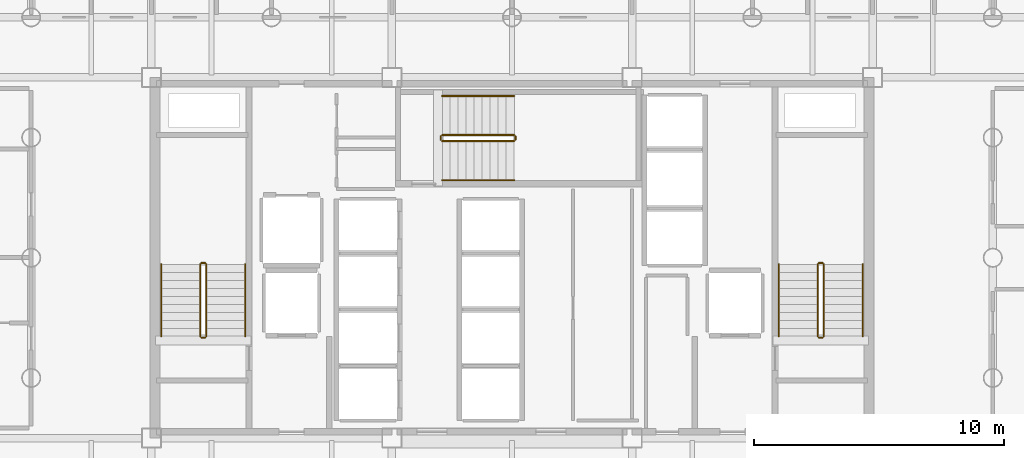
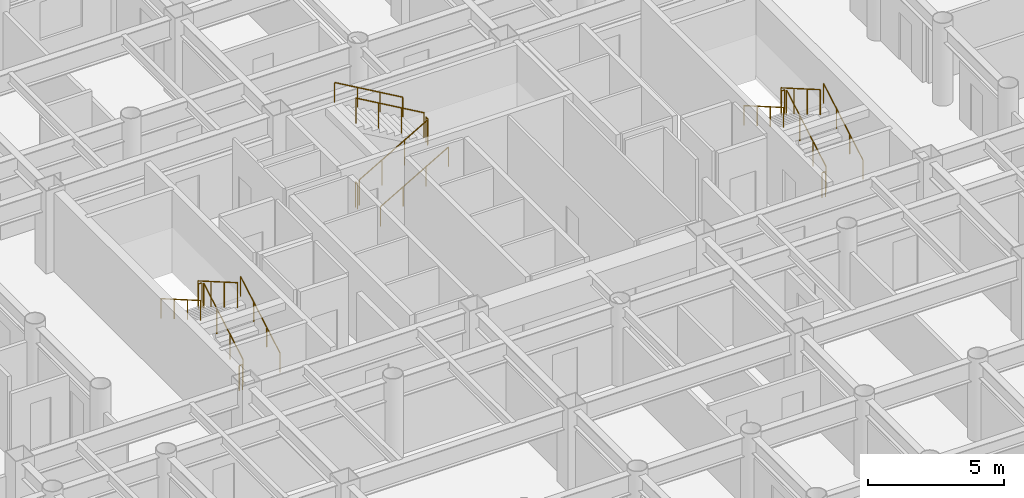
# One storey, part 20 of 20: 18 railings.
"""IFC4 building model written with IfcOpenShell, lengths in metres."""

from ifc_helpers import new_model, si_unit, direction, frame, origin, origin_2d, place, context, subcontext, project, spatial, circle, extrude, material, layer, layer_set, type_object, element, save


model = new_model("IFC4")

# Units and contexts
model_context = context("Model", 3, precision=1e-05, world=origin(), true_north=direction((0.0, 1.0)))
body_context = subcontext(model_context, "Body", "Model", "MODEL_VIEW")
ifc_project = project(units=[si_unit("LENGTHUNIT", "METRE"), si_unit("AREAUNIT", "SQUARE_METRE"), si_unit("VOLUMEUNIT", "CUBIC_METRE"), si_unit("PLANEANGLEUNIT", "RADIAN"), si_unit("MASSUNIT", "GRAM", prefix="KILO")], contexts=[model_context])

# Site, building, storey
site_placement = place(None, origin())
site = spatial("IfcSite", under=ifc_project, at=site_placement, CompositionType="ELEMENT")
building_placement = place(site_placement, origin())
building = spatial("IfcBuilding", under=site, at=building_placement, Name="Kallvorn Hotel Tower", CompositionType="ELEMENT")
storey_placement = place(building_placement, frame((0.0, 0.0, 78.10009765625)))
storey = spatial("IfcBuildingStorey", under=building, at=storey_placement, Name="L18", CompositionType="ELEMENT", Elevation=78.10009765625)

# Railings
ifc_material_1 = material(Name="Brushed stainless-steel tubular railing", Category="steel")
ifc_layer_1 = layer(ifc_material_1, 0.050048828125)
ifc_layer_set_1 = layer_set([ifc_layer_1], Name="RL_STAIR_GUARD")
railing_type_1 = type_object("IfcRailingType", Name="RL_STAIR_GUARD", PredefinedType="GUARDRAIL", material=ifc_layer_set_1)
railing_1_placement = place(storey_placement, frame((-12.2099609375, -3.139892578125, 0.184814453125)))
element("IfcRailing", 1, at=railing_1_placement, inside=storey, type_object=railing_type_1, Name="L18 ST1 stair guard 1", PredefinedType="GUARDRAIL", context=body_context, shape_type="SweptSolid", body=[
    extrude(circle(Radius=0.02392578125, at=origin_2d()), frame((0.0, 0.0, 1.1259765625), z_axis=(0.0, 0.865720918037, 0.500527014328), x_axis=(-1.0, 0.0, 0.0)), (0.0, 0.0, 1.0), 3.32666015625),
    extrude(circle(Radius=0.02099609375, at=origin_2d()), origin(), (0.0, 0.0, 1.0), 1.101806640625),
    extrude(circle(Radius=0.02099609375, at=origin_2d()), frame((0.0, 0.9599609375, 0.554931640625)), (0.0, 0.0, 1.0), 1.101806640625),
    extrude(circle(Radius=0.02099609375, at=origin_2d()), frame((0.0, 1.919921875, 1.110107421875)), (0.0, 0.0, 1.0), 1.101806640625),
    extrude(circle(Radius=0.02099609375, at=origin_2d()), frame((0.0, 2.8798828125, 1.6650390625)), (0.0, 0.0, 1.0), 1.101806640625),
])
railing_2_placement = place(storey_placement, frame((-12.260009765625, -0.2099609375, 1.849853515625)))
element("IfcRailing", 2, at=railing_2_placement, inside=storey, type_object=railing_type_1, Name="L18 ST1 stair guard 2", PredefinedType="GUARDRAIL", context=body_context, shape_type="SweptSolid", body=[
    extrude(circle(Radius=0.02392578125, at=origin_2d()), frame((0.0, 0.0, 1.1259765625), z_axis=(-1.0, 0.0, 0.0), x_axis=(0.0, -1.0, 0.0)), (0.0, 0.0, 1.0), 0.139892578125),
    extrude(circle(Radius=0.02099609375, at=origin_2d()), origin(), (0.0, 0.0, 1.0), 1.101806640625),
    extrude(circle(Radius=0.02099609375, at=origin_2d()), frame((-0.139892578125, 0.0, 0.0)), (0.0, 0.0, 1.0), 1.101806640625),
])
railing_3_placement = place(storey_placement, frame((-12.449951171875, -0.260009765625, 2.034912109375)))
element("IfcRailing", 3, at=railing_3_placement, inside=storey, type_object=railing_type_1, Name="L18 ST1 stair guard 3", PredefinedType="GUARDRAIL", context=body_context, shape_type="SweptSolid", body=[
    extrude(circle(Radius=0.02392578125, at=origin_2d()), frame((0.0, 0.0, 1.1259765625), z_axis=(0.0, -0.865720918037, 0.500527014328), x_axis=(1.0, 0.0, 0.0)), (0.0, 0.0, 1.0), 3.32666015625),
    extrude(circle(Radius=0.02099609375, at=origin_2d()), origin(), (0.0, 0.0, 1.0), 1.101806640625),
    extrude(circle(Radius=0.02099609375, at=origin_2d()), frame((0.0, -0.9599609375, 0.554931640625)), (0.0, 0.0, 1.0), 1.101806640625),
    extrude(circle(Radius=0.02099609375, at=origin_2d()), frame((0.0, -1.919921875, 1.110107421875)), (0.0, 0.0, 1.0), 1.101806640625),
    extrude(circle(Radius=0.02099609375, at=origin_2d()), frame((0.0, -2.8798828125, 1.6650390625)), (0.0, 0.0, 1.0), 1.101806640625),
])
railing_4_placement = place(storey_placement, frame((-12.260009765625, -3.18994140625, 0.0)))
element("IfcRailing", 4, at=railing_4_placement, inside=storey, type_object=railing_type_1, Name="L18 ST1 stair guard 4", PredefinedType="GUARDRAIL", context=body_context, shape_type="SweptSolid", body=[
    extrude(circle(Radius=0.02392578125, at=origin_2d()), frame((0.0, 0.0, 1.1259765625), z_axis=(-1.0, 0.0, 0.0), x_axis=(0.0, -1.0, 0.0)), (0.0, 0.0, 1.0), 0.139892578125),
    extrude(circle(Radius=0.02099609375, at=origin_2d()), origin(), (0.0, 0.0, 1.0), 1.101806640625),
    extrude(circle(Radius=0.02099609375, at=origin_2d()), frame((-0.139892578125, 0.0, 0.0)), (0.0, 0.0, 1.0), 1.101806640625),
])
railing_5_placement = place(storey_placement, frame((12.449951171875, -3.139892578125, 0.184814453125)))
element("IfcRailing", 5, at=railing_5_placement, inside=storey, type_object=railing_type_1, Name="L18 ST2 stair guard 1", PredefinedType="GUARDRAIL", context=body_context, shape_type="SweptSolid", body=[
    extrude(circle(Radius=0.02392578125, at=origin_2d()), frame((0.0, 0.0, 1.1259765625), z_axis=(0.0, 0.865720918037, 0.500527014328), x_axis=(-1.0, 0.0, 0.0)), (0.0, 0.0, 1.0), 3.32666015625),
    extrude(circle(Radius=0.02099609375, at=origin_2d()), origin(), (0.0, 0.0, 1.0), 1.101806640625),
    extrude(circle(Radius=0.02099609375, at=origin_2d()), frame((0.0, 0.9599609375, 0.554931640625)), (0.0, 0.0, 1.0), 1.101806640625),
    extrude(circle(Radius=0.02099609375, at=origin_2d()), frame((0.0, 1.919921875, 1.110107421875)), (0.0, 0.0, 1.0), 1.101806640625),
    extrude(circle(Radius=0.02099609375, at=origin_2d()), frame((0.0, 2.8798828125, 1.6650390625)), (0.0, 0.0, 1.0), 1.101806640625),
])
railing_6_placement = place(storey_placement, frame((12.39990234375, -0.2099609375, 1.849853515625)))
element("IfcRailing", 6, at=railing_6_placement, inside=storey, type_object=railing_type_1, Name="L18 ST2 stair guard 2", PredefinedType="GUARDRAIL", context=body_context, shape_type="SweptSolid", body=[
    extrude(circle(Radius=0.02392578125, at=origin_2d()), frame((0.0, 0.0, 1.1259765625), z_axis=(-1.0, 0.0, 0.0), x_axis=(0.0, -1.0, 0.0)), (0.0, 0.0, 1.0), 0.139892578125),
    extrude(circle(Radius=0.02099609375, at=origin_2d()), origin(), (0.0, 0.0, 1.0), 1.101806640625),
    extrude(circle(Radius=0.02099609375, at=origin_2d()), frame((-0.139892578125, 0.0, 0.0)), (0.0, 0.0, 1.0), 1.101806640625),
])
railing_7_placement = place(storey_placement, frame((12.2099609375, -0.260009765625, 2.034912109375)))
element("IfcRailing", 7, at=railing_7_placement, inside=storey, type_object=railing_type_1, Name="L18 ST2 stair guard 3", PredefinedType="GUARDRAIL", context=body_context, shape_type="SweptSolid", body=[
    extrude(circle(Radius=0.02392578125, at=origin_2d()), frame((0.0, 0.0, 1.1259765625), z_axis=(0.0, -0.865720918037, 0.500527014328), x_axis=(1.0, 0.0, 0.0)), (0.0, 0.0, 1.0), 3.32666015625),
    extrude(circle(Radius=0.02099609375, at=origin_2d()), origin(), (0.0, 0.0, 1.0), 1.101806640625),
    extrude(circle(Radius=0.02099609375, at=origin_2d()), frame((0.0, -0.9599609375, 0.554931640625)), (0.0, 0.0, 1.0), 1.101806640625),
    extrude(circle(Radius=0.02099609375, at=origin_2d()), frame((0.0, -1.919921875, 1.110107421875)), (0.0, 0.0, 1.0), 1.101806640625),
    extrude(circle(Radius=0.02099609375, at=origin_2d()), frame((0.0, -2.8798828125, 1.6650390625)), (0.0, 0.0, 1.0), 1.101806640625),
])
railing_8_placement = place(storey_placement, frame((12.39990234375, -3.18994140625, 0.0)))
element("IfcRailing", 8, at=railing_8_placement, inside=storey, type_object=railing_type_1, Name="L18 ST2 stair guard 4", PredefinedType="GUARDRAIL", context=body_context, shape_type="SweptSolid", body=[
    extrude(circle(Radius=0.02392578125, at=origin_2d()), frame((0.0, 0.0, 1.1259765625), z_axis=(-1.0, 0.0, 0.0), x_axis=(0.0, -1.0, 0.0)), (0.0, 0.0, 1.0), 0.139892578125),
    extrude(circle(Radius=0.02099609375, at=origin_2d()), origin(), (0.0, 0.0, 1.0), 1.101806640625),
    extrude(circle(Radius=0.02099609375, at=origin_2d()), frame((-0.139892578125, 0.0, 0.0)), (0.0, 0.0, 1.0), 1.101806640625),
])
railing_9_placement = place(storey_placement, frame((-2.7900390625, 4.659912109375, 0.184814453125)))
element("IfcRailing", 9, at=railing_9_placement, inside=storey, type_object=railing_type_1, Name="L18 ST3 stair guard 1", PredefinedType="GUARDRAIL", context=body_context, shape_type="SweptSolid", body=[
    extrude(circle(Radius=0.02392578125, at=origin_2d()), frame((0.0, 0.0, 1.1259765625), z_axis=(0.865739302748, 0.0, 0.50049521444), x_axis=(0.0, 1.0, 0.0)), (0.0, 0.0, 1.0), 3.326904296875),
    extrude(circle(Radius=0.02099609375, at=origin_2d()), origin(), (0.0, 0.0, 1.0), 1.101806640625),
    extrude(circle(Radius=0.02099609375, at=origin_2d()), frame((0.9599609375, 0.0, 0.554931640625)), (0.0, 0.0, 1.0), 1.101806640625),
    extrude(circle(Radius=0.02099609375, at=origin_2d()), frame((1.920166015625, 0.0, 1.110107421875)), (0.0, 0.0, 1.0), 1.101806640625),
    extrude(circle(Radius=0.02099609375, at=origin_2d()), frame((2.880126953125, 0.0, 1.6650390625)), (0.0, 0.0, 1.0), 1.101806640625),
])
railing_10_placement = place(storey_placement, frame((0.139892578125, 4.7099609375, 1.849853515625)))
element("IfcRailing", 10, at=railing_10_placement, inside=storey, type_object=railing_type_1, Name="L18 ST3 stair guard 2", PredefinedType="GUARDRAIL", context=body_context, shape_type="SweptSolid", body=[
    extrude(circle(Radius=0.02392578125, at=origin_2d()), frame((0.0, 0.0, 1.1259765625), z_axis=(0.0, 1.0, 0.0), x_axis=(-1.0, 0.0, 0.0)), (0.0, 0.0, 1.0), 0.14013671875),
    extrude(circle(Radius=0.02099609375, at=origin_2d()), origin(), (0.0, 0.0, 1.0), 1.101806640625),
    extrude(circle(Radius=0.02099609375, at=origin_2d()), frame((0.0, 0.14013671875, 0.0)), (0.0, 0.0, 1.0), 1.101806640625),
])
railing_11_placement = place(storey_placement, frame((0.090087890625, 4.89990234375, 2.034912109375)))
element("IfcRailing", 11, at=railing_11_placement, inside=storey, type_object=railing_type_1, Name="L18 ST3 stair guard 3", PredefinedType="GUARDRAIL", context=body_context, shape_type="SweptSolid", body=[
    extrude(circle(Radius=0.02392578125, at=origin_2d()), frame((0.0, 0.0, 1.1259765625), z_axis=(-0.865739302748, 0.0, 0.50049521444), x_axis=(0.0, -1.0, 0.0)), (0.0, 0.0, 1.0), 3.326904296875),
    extrude(circle(Radius=0.02099609375, at=origin_2d()), origin(), (0.0, 0.0, 1.0), 1.101806640625),
    extrude(circle(Radius=0.02099609375, at=origin_2d()), frame((-0.9599609375, 0.0, 0.554931640625)), (0.0, 0.0, 1.0), 1.101806640625),
    extrude(circle(Radius=0.02099609375, at=origin_2d()), frame((-1.920166015625, 0.0, 1.110107421875)), (0.0, 0.0, 1.0), 1.101806640625),
    extrude(circle(Radius=0.02099609375, at=origin_2d()), frame((-2.880126953125, 0.0, 1.6650390625)), (0.0, 0.0, 1.0), 1.101806640625),
])
railing_12_placement = place(storey_placement, frame((-2.840087890625, 4.7099609375, 0.0)))
element("IfcRailing", 12, at=railing_12_placement, inside=storey, type_object=railing_type_1, Name="L18 ST3 stair guard 4", PredefinedType="GUARDRAIL", context=body_context, shape_type="SweptSolid", body=[
    extrude(circle(Radius=0.02392578125, at=origin_2d()), frame((0.0, 0.0, 1.1259765625), z_axis=(0.0, 1.0, 0.0), x_axis=(-1.0, 0.0, 0.0)), (0.0, 0.0, 1.0), 0.14013671875),
    extrude(circle(Radius=0.02099609375, at=origin_2d()), origin(), (0.0, 0.0, 1.0), 1.101806640625),
    extrude(circle(Radius=0.02099609375, at=origin_2d()), frame((0.0, 0.14013671875, 0.0)), (0.0, 0.0, 1.0), 1.101806640625),
])
ifc_material_2 = material(Name="Brushed stainless-steel tubular railing", Category="steel")
ifc_layer_2 = layer(ifc_material_2, 0.050048828125)
ifc_layer_set_2 = layer_set([ifc_layer_2], Name="RL_STAIR_HAND")
railing_type_2 = type_object("IfcRailingType", Name="RL_STAIR_HAND", PredefinedType="HANDRAIL", material=ifc_layer_set_2)
railing_13_placement = place(storey_placement, frame((-10.64990234375, -3.139892578125, 0.184814453125)))
element("IfcRailing", 13, at=railing_13_placement, inside=storey, type_object=railing_type_2, Name="L18 ST1 stair handrail 1", PredefinedType="HANDRAIL", context=body_context, shape_type="SweptSolid", body=[
    extrude(circle(Radius=0.02392578125, at=origin_2d()), frame((0.0, 0.0, 0.8759765625), z_axis=(0.0, 0.865720918037, 0.500527014328), x_axis=(-1.0, 0.0, 0.0)), (0.0, 0.0, 1.0), 3.32666015625),
    extrude(circle(Radius=0.02099609375, at=origin_2d()), origin(), (0.0, 0.0, 1.0), 0.851806640625),
    extrude(circle(Radius=0.02099609375, at=origin_2d()), frame((0.0, 0.9599609375, 0.554931640625)), (0.0, 0.0, 1.0), 0.851806640625),
    extrude(circle(Radius=0.02099609375, at=origin_2d()), frame((0.0, 1.919921875, 1.110107421875)), (0.0, 0.0, 1.0), 0.851806640625),
    extrude(circle(Radius=0.02099609375, at=origin_2d()), frame((0.0, 2.8798828125, 1.6650390625)), (0.0, 0.0, 1.0), 0.851806640625),
])
railing_14_placement = place(storey_placement, frame((-14.010009765625, -0.260009765625, 2.034912109375)))
element("IfcRailing", 14, at=railing_14_placement, inside=storey, type_object=railing_type_2, Name="L18 ST1 stair handrail 2", PredefinedType="HANDRAIL", context=body_context, shape_type="SweptSolid", body=[
    extrude(circle(Radius=0.02392578125, at=origin_2d()), frame((0.0, 0.0, 0.8759765625), z_axis=(0.0, -0.865720918037, 0.500527014328), x_axis=(1.0, 0.0, 0.0)), (0.0, 0.0, 1.0), 3.32666015625),
    extrude(circle(Radius=0.02099609375, at=origin_2d()), origin(), (0.0, 0.0, 1.0), 0.851806640625),
    extrude(circle(Radius=0.02099609375, at=origin_2d()), frame((0.0, -0.9599609375, 0.554931640625)), (0.0, 0.0, 1.0), 0.851806640625),
    extrude(circle(Radius=0.02099609375, at=origin_2d()), frame((0.0, -1.919921875, 1.110107421875)), (0.0, 0.0, 1.0), 0.851806640625),
    extrude(circle(Radius=0.02099609375, at=origin_2d()), frame((0.0, -2.8798828125, 1.6650390625)), (0.0, 0.0, 1.0), 0.851806640625),
])
railing_15_placement = place(storey_placement, frame((14.010009765625, -3.139892578125, 0.184814453125)))
element("IfcRailing", 15, at=railing_15_placement, inside=storey, type_object=railing_type_2, Name="L18 ST2 stair handrail 1", PredefinedType="HANDRAIL", context=body_context, shape_type="SweptSolid", body=[
    extrude(circle(Radius=0.02392578125, at=origin_2d()), frame((0.0, 0.0, 0.8759765625), z_axis=(0.0, 0.865720918037, 0.500527014328), x_axis=(-1.0, 0.0, 0.0)), (0.0, 0.0, 1.0), 3.32666015625),
    extrude(circle(Radius=0.02099609375, at=origin_2d()), origin(), (0.0, 0.0, 1.0), 0.851806640625),
    extrude(circle(Radius=0.02099609375, at=origin_2d()), frame((0.0, 0.9599609375, 0.554931640625)), (0.0, 0.0, 1.0), 0.851806640625),
    extrude(circle(Radius=0.02099609375, at=origin_2d()), frame((0.0, 1.919921875, 1.110107421875)), (0.0, 0.0, 1.0), 0.851806640625),
    extrude(circle(Radius=0.02099609375, at=origin_2d()), frame((0.0, 2.8798828125, 1.6650390625)), (0.0, 0.0, 1.0), 0.851806640625),
])
railing_16_placement = place(storey_placement, frame((10.64990234375, -0.260009765625, 2.034912109375)))
element("IfcRailing", 16, at=railing_16_placement, inside=storey, type_object=railing_type_2, Name="L18 ST2 stair handrail 2", PredefinedType="HANDRAIL", context=body_context, shape_type="SweptSolid", body=[
    extrude(circle(Radius=0.02392578125, at=origin_2d()), frame((0.0, 0.0, 0.8759765625), z_axis=(0.0, -0.865720918037, 0.500527014328), x_axis=(1.0, 0.0, 0.0)), (0.0, 0.0, 1.0), 3.32666015625),
    extrude(circle(Radius=0.02099609375, at=origin_2d()), origin(), (0.0, 0.0, 1.0), 0.851806640625),
    extrude(circle(Radius=0.02099609375, at=origin_2d()), frame((0.0, -0.9599609375, 0.554931640625)), (0.0, 0.0, 1.0), 0.851806640625),
    extrude(circle(Radius=0.02099609375, at=origin_2d()), frame((0.0, -1.919921875, 1.110107421875)), (0.0, 0.0, 1.0), 0.851806640625),
    extrude(circle(Radius=0.02099609375, at=origin_2d()), frame((0.0, -2.8798828125, 1.6650390625)), (0.0, 0.0, 1.0), 0.851806640625),
])
railing_17_placement = place(storey_placement, frame((-2.7900390625, 3.10009765625, 0.184814453125)))
element("IfcRailing", 17, at=railing_17_placement, inside=storey, type_object=railing_type_2, Name="L18 ST3 stair handrail 1", PredefinedType="HANDRAIL", context=body_context, shape_type="SweptSolid", body=[
    extrude(circle(Radius=0.02392578125, at=origin_2d()), frame((0.0, 0.0, 0.8759765625), z_axis=(0.865739302748, 0.0, 0.50049521444), x_axis=(0.0, 1.0, 0.0)), (0.0, 0.0, 1.0), 3.326904296875),
    extrude(circle(Radius=0.02099609375, at=origin_2d()), origin(), (0.0, 0.0, 1.0), 0.851806640625),
    extrude(circle(Radius=0.02099609375, at=origin_2d()), frame((0.9599609375, 0.0, 0.554931640625)), (0.0, 0.0, 1.0), 0.851806640625),
    extrude(circle(Radius=0.02099609375, at=origin_2d()), frame((1.920166015625, 0.0, 1.110107421875)), (0.0, 0.0, 1.0), 0.851806640625),
    extrude(circle(Radius=0.02099609375, at=origin_2d()), frame((2.880126953125, 0.0, 1.6650390625)), (0.0, 0.0, 1.0), 0.851806640625),
])
railing_18_placement = place(storey_placement, frame((0.090087890625, 6.4599609375, 2.034912109375)))
element("IfcRailing", 18, at=railing_18_placement, inside=storey, type_object=railing_type_2, Name="L18 ST3 stair handrail 2", PredefinedType="HANDRAIL", context=body_context, shape_type="SweptSolid", body=[
    extrude(circle(Radius=0.02392578125, at=origin_2d()), frame((0.0, 0.0, 0.8759765625), z_axis=(-0.865739302748, 0.0, 0.50049521444), x_axis=(0.0, -1.0, 0.0)), (0.0, 0.0, 1.0), 3.326904296875),
    extrude(circle(Radius=0.02099609375, at=origin_2d()), origin(), (0.0, 0.0, 1.0), 0.851806640625),
    extrude(circle(Radius=0.02099609375, at=origin_2d()), frame((-0.9599609375, 0.0, 0.554931640625)), (0.0, 0.0, 1.0), 0.851806640625),
    extrude(circle(Radius=0.02099609375, at=origin_2d()), frame((-1.920166015625, 0.0, 1.110107421875)), (0.0, 0.0, 1.0), 0.851806640625),
    extrude(circle(Radius=0.02099609375, at=origin_2d()), frame((-2.880126953125, 0.0, 1.6650390625)), (0.0, 0.0, 1.0), 0.851806640625),
])

save(model, "model.ifc")
